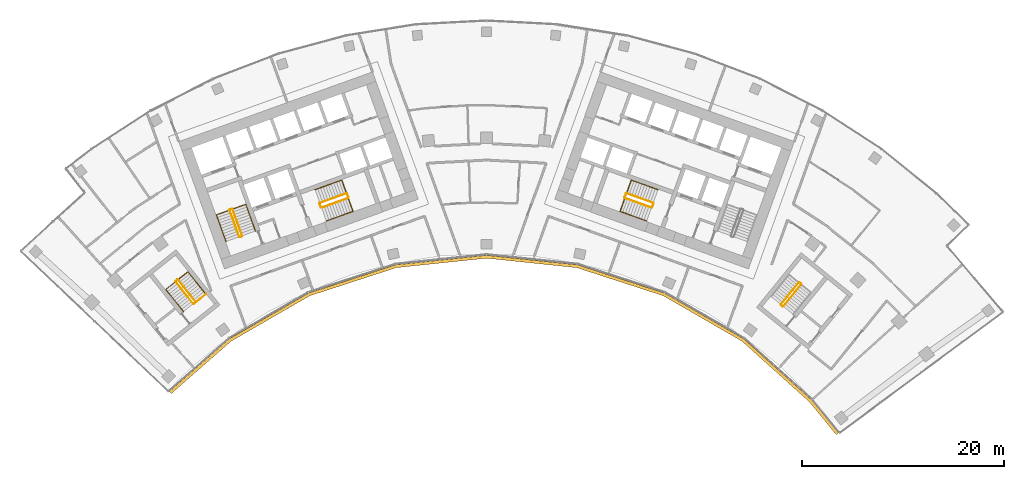
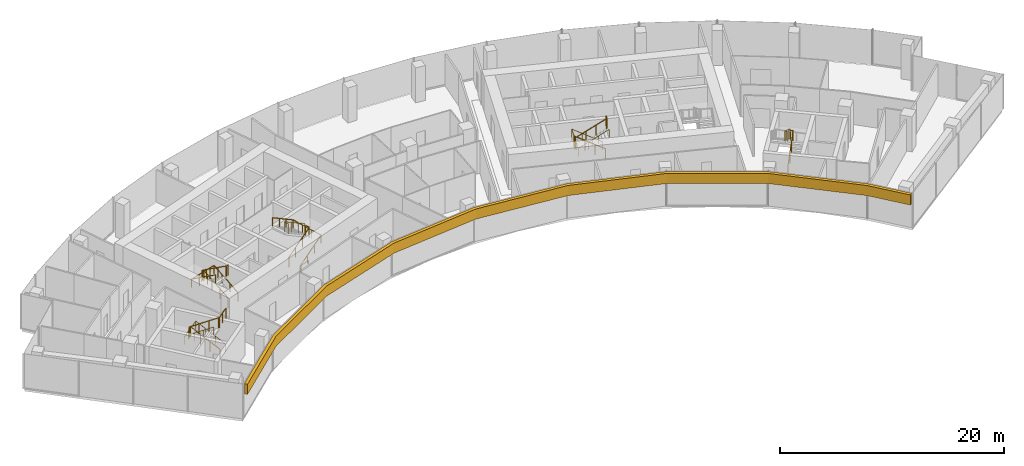
# One storey, part 18 of 19: 14 railings, 1 covering.
"""IFC4 building model written with IfcOpenShell, lengths in metres."""

from ifc_helpers import new_model, si_unit, direction, frame, origin, origin_2d, place, context, subcontext, project, spatial, polyline, circle, outline, extrude, material, layer, layer_set, type_object, element, save


model = new_model("IFC4")

# Units and contexts
model_context = context("Model", 3, precision=1e-05, world=origin(), true_north=direction((0.0, 1.0)))
body_context = subcontext(model_context, "Body", "Model", "MODEL_VIEW")
ifc_project = project(units=[si_unit("LENGTHUNIT", "METRE"), si_unit("AREAUNIT", "SQUARE_METRE"), si_unit("VOLUMEUNIT", "CUBIC_METRE"), si_unit("PLANEANGLEUNIT", "RADIAN"), si_unit("MASSUNIT", "GRAM", prefix="KILO")], contexts=[model_context])

# Site, building, storey
site_placement = place(None, origin())
site = spatial("IfcSite", under=ifc_project, at=site_placement, CompositionType="ELEMENT")
building_placement = place(site_placement, origin())
building = spatial("IfcBuilding", under=site, at=building_placement, Name="Stone Belt Terrace Tower", CompositionType="ELEMENT")
storey_placement = place(building_placement, frame((0.0, 0.0, 208.60009765625)))
storey = spatial("IfcBuildingStorey", under=building, at=storey_placement, Name="L50", CompositionType="ELEMENT", Elevation=208.60009765625)

# Railings
ifc_material_1 = material(Name="Structural steel C345", Category="steel")
railing_type_1 = type_object("IfcRailingType", Name="Stair guard 1100", PredefinedType="GUARDRAIL", material=ifc_material_1)
railing_1_placement = place(storey_placement, frame((-24.2119140625, 45.276123046875, 0.172607421875)))
element("IfcRailing", 1, at=railing_1_placement, inside=storey, type_object=railing_type_1, Name="L50 ST1A stair guard 1", PredefinedType="GUARDRAIL", context=body_context, shape_type="SweptSolid", body=[
    extrude(circle(Radius=0.02392578125, at=origin_2d()), frame((0.0, 0.0, 1.076171875), z_axis=(-0.288228637646, 0.800791768495, 0.525030280985), x_axis=(-0.940908529223, -0.338660803216, 0.0)), (0.0, 0.0, 1.0), 3.289794921875),
    extrude(circle(Radius=0.02392578125, at=origin_2d()), frame((-0.9482421875, 2.634521484375, 2.80322265625), z_axis=(-0.905209821074, 0.424964916, 0.0), x_axis=(-0.424964916, -0.905209821074, 0.0)), (0.0, 0.0, 1.0), 0.070556640625),
    extrude(circle(Radius=0.02392578125, at=origin_2d()), frame((-1.01220703125, 2.66455078125, 2.80322265625), z_axis=(-0.941105063269, -0.338114270461, 0.0), x_axis=(0.338114270461, -0.941105063269, 0.0)), (0.0, 0.0, 1.0), 0.199951171875),
    extrude(circle(Radius=0.02099609375, at=origin_2d()), origin(), (0.0, 0.0, 1.0), 1.052001953125),
    extrude(circle(Radius=0.02099609375, at=origin_2d()), frame((-0.316162109375, 0.878173828125, 0.57568359375)), (0.0, 0.0, 1.0), 1.052001953125),
    extrude(circle(Radius=0.02099609375, at=origin_2d()), frame((-0.632080078125, 1.75634765625, 1.151611328125)), (0.0, 0.0, 1.0), 1.052001953125),
    extrude(circle(Radius=0.02099609375, at=origin_2d()), frame((-0.9482421875, 2.634521484375, 1.727294921875)), (0.0, 0.0, 1.0), 1.052001953125),
    extrude(circle(Radius=0.02099609375, at=origin_2d()), frame((-1.01220703125, 2.66455078125, 1.727294921875)), (0.0, 0.0, 1.0), 1.052001953125),
    extrude(circle(Radius=0.02099609375, at=origin_2d()), frame((-1.200439453125, 2.596923828125, 1.727294921875)), (0.0, 0.0, 1.0), 1.052001953125),
])
railing_2_placement = place(storey_placement, frame((-25.4423828125, 47.80908203125, 2.072509765625)))
element("IfcRailing", 2, at=railing_2_placement, inside=storey, type_object=railing_type_1, Name="L50 ST1A stair guard 2", PredefinedType="GUARDRAIL", context=body_context, shape_type="SweptSolid", body=[
    extrude(circle(Radius=0.02392578125, at=origin_2d()), frame((0.0, 0.0, 1.076171875), z_axis=(0.288228637646, -0.800791768495, 0.525030280985), x_axis=(0.940908529223, 0.338660803216, 0.0)), (0.0, 0.0, 1.0), 3.289794921875),
    extrude(circle(Radius=0.02392578125, at=origin_2d()), frame((0.9482421875, -2.634521484375, 2.80322265625), z_axis=(0.903878284585, -0.427789722475, 0.0), x_axis=(0.427789722475, 0.903878284585, 0.0)), (0.0, 0.0, 1.0), 0.07080078125),
    extrude(circle(Radius=0.02392578125, at=origin_2d()), frame((1.01220703125, -2.664794921875, 2.80322265625), z_axis=(0.940575576748, 0.339584429008, 0.0), x_axis=(-0.339584429008, 0.940575576748, 0.0)), (0.0, 0.0, 1.0), 0.199951171875),
    extrude(circle(Radius=0.02099609375, at=origin_2d()), origin(), (0.0, 0.0, 1.0), 1.052001953125),
    extrude(circle(Radius=0.02099609375, at=origin_2d()), frame((0.316162109375, -0.878173828125, 0.57568359375)), (0.0, 0.0, 1.0), 1.052001953125),
    extrude(circle(Radius=0.02099609375, at=origin_2d()), frame((0.632080078125, -1.75634765625, 1.151611328125)), (0.0, 0.0, 1.0), 1.052001953125),
    extrude(circle(Radius=0.02099609375, at=origin_2d()), frame((0.9482421875, -2.634521484375, 1.727294921875)), (0.0, 0.0, 1.0), 1.052001953125),
    extrude(circle(Radius=0.02099609375, at=origin_2d()), frame((1.01220703125, -2.664794921875, 1.727294921875)), (0.0, 0.0, 1.0), 1.052001953125),
    extrude(circle(Radius=0.02099609375, at=origin_2d()), frame((1.2001953125, -2.596923828125, 1.727294921875)), (0.0, 0.0, 1.0), 1.052001953125),
])
railing_3_placement = place(storey_placement, frame((-16.33837890625, 48.056640625, 0.172607421875)))
element("IfcRailing", 3, at=railing_3_placement, inside=storey, type_object=railing_type_1, Name="L50 ST2A stair guard 1", PredefinedType="GUARDRAIL", context=body_context, shape_type="SweptSolid", body=[
    extrude(circle(Radius=0.02392578125, at=origin_2d()), frame((0.0, 0.0, 1.076171875), z_axis=(0.800808895155, 0.288160591223, 0.52504150989), x_axis=(-0.338583606334, 0.940936311087, 0.0)), (0.0, 0.0, 1.0), 3.289794921875),
    extrude(circle(Radius=0.02392578125, at=origin_2d()), frame((2.634521484375, 0.947998046875, 2.80322265625), z_axis=(0.427789722475, 0.903878284585, 0.0), x_axis=(-0.903878284585, 0.427789722475, 0.0)), (0.0, 0.0, 1.0), 0.07080078125),
    extrude(circle(Radius=0.02392578125, at=origin_2d()), frame((2.664794921875, 1.011962890625, 2.80322265625), z_axis=(-0.338654645739, 0.940910745459, 0.0), x_axis=(-0.940910745459, -0.338654645739, 0.0)), (0.0, 0.0, 1.0), 0.400146484375),
    extrude(circle(Radius=0.02099609375, at=origin_2d()), origin(), (0.0, 0.0, 1.0), 1.052001953125),
    extrude(circle(Radius=0.02099609375, at=origin_2d()), frame((0.878173828125, 0.31591796875, 0.57568359375)), (0.0, 0.0, 1.0), 1.052001953125),
    extrude(circle(Radius=0.02099609375, at=origin_2d()), frame((1.75634765625, 0.632080078125, 1.151611328125)), (0.0, 0.0, 1.0), 1.052001953125),
    extrude(circle(Radius=0.02099609375, at=origin_2d()), frame((2.634521484375, 0.947998046875, 1.727294921875)), (0.0, 0.0, 1.0), 1.052001953125),
    extrude(circle(Radius=0.02099609375, at=origin_2d()), frame((2.664794921875, 1.011962890625, 1.727294921875)), (0.0, 0.0, 1.0), 1.052001953125),
    extrude(circle(Radius=0.02099609375, at=origin_2d()), frame((2.529296875, 1.388427734375, 1.727294921875)), (0.0, 0.0, 1.0), 1.052001953125),
])
railing_4_placement = place(storey_placement, frame((-13.873046875, 49.47509765625, 2.072509765625)))
element("IfcRailing", 4, at=railing_4_placement, inside=storey, type_object=railing_type_1, Name="L50 ST2A stair guard 2", PredefinedType="GUARDRAIL", context=body_context, shape_type="SweptSolid", body=[
    extrude(circle(Radius=0.02392578125, at=origin_2d()), frame((0.0, 0.0, 1.076171875), z_axis=(-0.800808895155, -0.288160591223, 0.52504150989), x_axis=(0.338583606334, -0.940936311087, 0.0)), (0.0, 0.0, 1.0), 3.289794921875),
    extrude(circle(Radius=0.02392578125, at=origin_2d()), frame((-2.634521484375, -0.947998046875, 2.80322265625), z_axis=(-0.427789722475, -0.903878284585, 0.0), x_axis=(0.903878284585, -0.427789722475, 0.0)), (0.0, 0.0, 1.0), 0.07080078125),
    extrude(circle(Radius=0.02392578125, at=origin_2d()), frame((-2.664794921875, -1.011962890625, 2.80322265625), z_axis=(0.338654645739, -0.940910745459, 0.0), x_axis=(0.940910745459, 0.338654645739, 0.0)), (0.0, 0.0, 1.0), 0.400146484375),
    extrude(circle(Radius=0.02099609375, at=origin_2d()), origin(), (0.0, 0.0, 1.0), 1.052001953125),
    extrude(circle(Radius=0.02099609375, at=origin_2d()), frame((-0.878173828125, -0.31591796875, 0.57568359375)), (0.0, 0.0, 1.0), 1.052001953125),
    extrude(circle(Radius=0.02099609375, at=origin_2d()), frame((-1.75634765625, -0.632080078125, 1.151611328125)), (0.0, 0.0, 1.0), 1.052001953125),
    extrude(circle(Radius=0.02099609375, at=origin_2d()), frame((-2.634521484375, -0.947998046875, 1.727294921875)), (0.0, 0.0, 1.0), 1.052001953125),
    extrude(circle(Radius=0.02099609375, at=origin_2d()), frame((-2.664794921875, -1.011962890625, 1.727294921875)), (0.0, 0.0, 1.0), 1.052001953125),
    extrude(circle(Radius=0.02099609375, at=origin_2d()), frame((-2.529296875, -1.388427734375, 1.727294921875)), (0.0, 0.0, 1.0), 1.052001953125),
])
railing_5_placement = place(storey_placement, frame((16.507568359375, 48.527099609375, 0.172607421875)))
element("IfcRailing", 5, at=railing_5_placement, inside=storey, type_object=railing_type_1, Name="L50 ST2B stair guard 1", PredefinedType="GUARDRAIL", context=body_context, shape_type="SweptSolid", body=[
    extrude(circle(Radius=0.02392578125, at=origin_2d()), frame((0.0, 0.0, 1.076171875), z_axis=(-0.800808895155, 0.288160591223, 0.52504150989), x_axis=(-0.338583606334, -0.940936311087, 0.0)), (0.0, 0.0, 1.0), 3.289794921875),
    extrude(circle(Radius=0.02392578125, at=origin_2d()), frame((-2.634521484375, 0.947998046875, 2.80322265625), z_axis=(-0.905209821074, -0.424964916, 0.0), x_axis=(0.424964916, -0.905209821074, 0.0)), (0.0, 0.0, 1.0), 0.070556640625),
    extrude(circle(Radius=0.02392578125, at=origin_2d()), frame((-2.698486328125, 0.91796875, 2.80322265625), z_axis=(-0.338654645739, -0.940910745459, 0.0), x_axis=(0.940910745459, -0.338654645739, 0.0)), (0.0, 0.0, 1.0), 0.400146484375),
    extrude(circle(Radius=0.02099609375, at=origin_2d()), origin(), (0.0, 0.0, 1.0), 1.052001953125),
    extrude(circle(Radius=0.02099609375, at=origin_2d()), frame((-0.878173828125, 0.31591796875, 0.57568359375)), (0.0, 0.0, 1.0), 1.052001953125),
    extrude(circle(Radius=0.02099609375, at=origin_2d()), frame((-1.75634765625, 0.632080078125, 1.151611328125)), (0.0, 0.0, 1.0), 1.052001953125),
    extrude(circle(Radius=0.02099609375, at=origin_2d()), frame((-2.634521484375, 0.947998046875, 1.727294921875)), (0.0, 0.0, 1.0), 1.052001953125),
    extrude(circle(Radius=0.02099609375, at=origin_2d()), frame((-2.698486328125, 0.91796875, 1.727294921875)), (0.0, 0.0, 1.0), 1.052001953125),
    extrude(circle(Radius=0.02099609375, at=origin_2d()), frame((-2.833984375, 0.54150390625, 1.727294921875)), (0.0, 0.0, 1.0), 1.052001953125),
])
railing_6_placement = place(storey_placement, frame((13.703857421875, 49.004638671875, 2.072509765625)))
element("IfcRailing", 6, at=railing_6_placement, inside=storey, type_object=railing_type_1, Name="L50 ST2B stair guard 2", PredefinedType="GUARDRAIL", context=body_context, shape_type="SweptSolid", body=[
    extrude(circle(Radius=0.02392578125, at=origin_2d()), frame((0.0, 0.0, 1.076171875), z_axis=(0.800808895155, -0.288160591223, 0.52504150989), x_axis=(0.338583606334, 0.940936311087, 0.0)), (0.0, 0.0, 1.0), 3.289794921875),
    extrude(circle(Radius=0.02392578125, at=origin_2d()), frame((2.634521484375, -0.947998046875, 2.80322265625), z_axis=(0.905209821074, 0.424964916, 0.0), x_axis=(-0.424964916, 0.905209821074, 0.0)), (0.0, 0.0, 1.0), 0.070556640625),
    extrude(circle(Radius=0.02392578125, at=origin_2d()), frame((2.698486328125, -0.91796875, 2.80322265625), z_axis=(0.338654645739, 0.940910745459, 0.0), x_axis=(-0.940910745459, 0.338654645739, 0.0)), (0.0, 0.0, 1.0), 0.400146484375),
    extrude(circle(Radius=0.02099609375, at=origin_2d()), origin(), (0.0, 0.0, 1.0), 1.052001953125),
    extrude(circle(Radius=0.02099609375, at=origin_2d()), frame((0.878173828125, -0.31591796875, 0.57568359375)), (0.0, 0.0, 1.0), 1.052001953125),
    extrude(circle(Radius=0.02099609375, at=origin_2d()), frame((1.75634765625, -0.632080078125, 1.151611328125)), (0.0, 0.0, 1.0), 1.052001953125),
    extrude(circle(Radius=0.02099609375, at=origin_2d()), frame((2.634521484375, -0.947998046875, 1.727294921875)), (0.0, 0.0, 1.0), 1.052001953125),
    extrude(circle(Radius=0.02099609375, at=origin_2d()), frame((2.698486328125, -0.91796875, 1.727294921875)), (0.0, 0.0, 1.0), 1.052001953125),
    extrude(circle(Radius=0.02099609375, at=origin_2d()), frame((2.833984375, -0.54150390625, 1.727294921875)), (0.0, 0.0, 1.0), 1.052001953125),
])
railing_7_placement = place(storey_placement, frame((-28.814208984375, 38.734619140625, 0.172607421875)))
element("IfcRailing", 7, at=railing_7_placement, inside=storey, type_object=railing_type_1, Name="L50 ST3A stair guard 1", PredefinedType="GUARDRAIL", context=body_context, shape_type="SweptSolid", body=[
    extrude(circle(Radius=0.02392578125, at=origin_2d()), frame((0.0, 0.0, 1.076171875), z_axis=(-0.530306321799, 0.665665785969, 0.525037395288), x_axis=(-0.782143211408, -0.623098705543, 0.0)), (0.0, 0.0, 1.0), 3.289794921875),
    extrude(circle(Radius=0.02392578125, at=origin_2d()), frame((-1.74462890625, 2.18994140625, 2.80322265625), z_axis=(-0.993883734674, 0.110431526075, 0.0), x_axis=(-0.110431526075, -0.993883734674, 0.0)), (0.0, 0.0, 1.0), 0.07080078125),
    extrude(circle(Radius=0.02392578125, at=origin_2d()), frame((-1.81494140625, 2.19775390625, 2.80322265625), z_axis=(-0.782533463299, -0.622608527742, 0.0), x_axis=(0.622608527742, -0.782533463299, 0.0)), (0.0, 0.0, 1.0), 0.199951171875),
    extrude(circle(Radius=0.02099609375, at=origin_2d()), origin(), (0.0, 0.0, 1.0), 1.052001953125),
    extrude(circle(Radius=0.02099609375, at=origin_2d()), frame((-0.58154296875, 0.72998046875, 0.57568359375)), (0.0, 0.0, 1.0), 1.052001953125),
    extrude(circle(Radius=0.02099609375, at=origin_2d()), frame((-1.1630859375, 1.4599609375, 1.151611328125)), (0.0, 0.0, 1.0), 1.052001953125),
    extrude(circle(Radius=0.02099609375, at=origin_2d()), frame((-1.74462890625, 2.18994140625, 1.727294921875)), (0.0, 0.0, 1.0), 1.052001953125),
    extrude(circle(Radius=0.02099609375, at=origin_2d()), frame((-1.81494140625, 2.19775390625, 1.727294921875)), (0.0, 0.0, 1.0), 1.052001953125),
    extrude(circle(Radius=0.02099609375, at=origin_2d()), frame((-1.971435546875, 2.0732421875, 1.727294921875)), (0.0, 0.0, 1.0), 1.052001953125),
])
railing_8_placement = place(storey_placement, frame((-30.793701171875, 40.737548828125, 2.072509765625)))
element("IfcRailing", 8, at=railing_8_placement, inside=storey, type_object=railing_type_1, Name="L50 ST3A stair guard 2", PredefinedType="GUARDRAIL", context=body_context, shape_type="SweptSolid", body=[
    extrude(circle(Radius=0.02392578125, at=origin_2d()), frame((0.0, 0.0, 1.076171875), z_axis=(0.530359659125, -0.665639588968, 0.525016732659), x_axis=(0.782100716982, 0.62315204284, 0.0)), (0.0, 0.0, 1.0), 3.2900390625),
    extrude(circle(Radius=0.02392578125, at=origin_2d()), frame((1.744873046875, -2.18994140625, 2.80322265625), z_axis=(0.993499272973, -0.113838458361, 0.0), x_axis=(0.113838458361, 0.993499272973, 0.0)), (0.0, 0.0, 1.0), 0.07080078125),
    extrude(circle(Radius=0.02392578125, at=origin_2d()), frame((1.815185546875, -2.197998046875, 2.80322265625), z_axis=(0.782096737192, 0.623157037731, 0.0), x_axis=(-0.623157037731, 0.782096737192, 0.0)), (0.0, 0.0, 1.0), 1.5498046875),
    extrude(circle(Radius=0.02099609375, at=origin_2d()), origin(), (0.0, 0.0, 1.0), 1.052001953125),
    extrude(circle(Radius=0.02099609375, at=origin_2d()), frame((0.58154296875, -0.72998046875, 0.57568359375)), (0.0, 0.0, 1.0), 1.052001953125),
    extrude(circle(Radius=0.02099609375, at=origin_2d()), frame((1.163330078125, -1.4599609375, 1.151611328125)), (0.0, 0.0, 1.0), 1.052001953125),
    extrude(circle(Radius=0.02099609375, at=origin_2d()), frame((1.744873046875, -2.18994140625, 1.727294921875)), (0.0, 0.0, 1.0), 1.052001953125),
    extrude(circle(Radius=0.02099609375, at=origin_2d()), frame((1.815185546875, -2.197998046875, 1.727294921875)), (0.0, 0.0, 1.0), 1.052001953125),
    extrude(circle(Radius=0.02099609375, at=origin_2d()), frame((2.42138671875, -1.715087890625, 1.727294921875)), (0.0, 0.0, 1.0), 1.052001953125),
    extrude(circle(Radius=0.02099609375, at=origin_2d()), frame((3.02734375, -1.232177734375, 1.727294921875)), (0.0, 0.0, 1.0), 1.052001953125),
])
railing_9_placement = place(storey_placement, frame((29.39794921875, 38.281982421875, 0.172607421875)))
element("IfcRailing", 9, at=railing_9_placement, inside=storey, type_object=railing_type_1, Name="L50 ST3B stair guard 1", PredefinedType="GUARDRAIL", context=body_context, shape_type="SweptSolid", body=[
    extrude(circle(Radius=0.02392578125, at=origin_2d()), frame((0.0, 0.0, 1.076171875), z_axis=(0.536393061503, 0.660769759217, 0.525038864158), x_axis=(-0.776391310223, 0.630251166924, 0.0)), (0.0, 0.0, 1.0), 3.289794921875),
    extrude(circle(Radius=0.02392578125, at=origin_2d()), frame((1.7646484375, 2.173828125, 2.80322265625), z_axis=(-0.103251414163, 0.994655289773, 0.0), x_axis=(-0.994655289773, -0.103251414163, 0.0)), (0.0, 0.0, 1.0), 0.071044921875),
    extrude(circle(Radius=0.02392578125, at=origin_2d()), frame((1.75732421875, 2.244384765625, 2.80322265625), z_axis=(-0.776561986372, 0.630040856868, 0.0), x_axis=(-0.630040856868, -0.776561986372, 0.0)), (0.0, 0.0, 1.0), 0.199951171875),
    extrude(circle(Radius=0.02099609375, at=origin_2d()), origin(), (0.0, 0.0, 1.0), 1.052001953125),
    extrude(circle(Radius=0.02099609375, at=origin_2d()), frame((0.588134765625, 0.724609375, 0.57568359375)), (0.0, 0.0, 1.0), 1.052001953125),
    extrude(circle(Radius=0.02099609375, at=origin_2d()), frame((1.176513671875, 1.44921875, 1.151611328125)), (0.0, 0.0, 1.0), 1.052001953125),
    extrude(circle(Radius=0.02099609375, at=origin_2d()), frame((1.7646484375, 2.173828125, 1.727294921875)), (0.0, 0.0, 1.0), 1.052001953125),
    extrude(circle(Radius=0.02099609375, at=origin_2d()), frame((1.75732421875, 2.244384765625, 1.727294921875)), (0.0, 0.0, 1.0), 1.052001953125),
    extrude(circle(Radius=0.02099609375, at=origin_2d()), frame((1.60205078125, 2.370361328125, 1.727294921875)), (0.0, 0.0, 1.0), 1.052001953125),
])
railing_10_placement = place(storey_placement, frame((30.9296875, 40.64501953125, 2.072509765625)))
element("IfcRailing", 10, at=railing_10_placement, inside=storey, type_object=railing_type_1, Name="L50 ST3B stair guard 2", PredefinedType="GUARDRAIL", context=body_context, shape_type="SweptSolid", body=[
    extrude(circle(Radius=0.02392578125, at=origin_2d()), frame((0.0, 0.0, 1.076171875), z_axis=(-0.536366759382, -0.660811565066, 0.525013118792), x_axis=(0.776425942316, -0.630208502084, 0.0)), (0.0, 0.0, 1.0), 3.2900390625),
    extrude(circle(Radius=0.02392578125, at=origin_2d()), frame((-1.7646484375, -2.174072265625, 2.80322265625), z_axis=(0.103606084259, -0.994618408891, 0.0), x_axis=(0.994618408891, 0.103606084259, 0.0)), (0.0, 0.0, 1.0), 0.07080078125),
    extrude(circle(Radius=0.02392578125, at=origin_2d()), frame((-1.75732421875, -2.244384765625, 2.80322265625), z_axis=(0.776561986372, -0.630040856868, 0.0), x_axis=(0.630040856868, 0.776561986372, 0.0)), (0.0, 0.0, 1.0), 0.199951171875),
    extrude(circle(Radius=0.02099609375, at=origin_2d()), origin(), (0.0, 0.0, 1.0), 1.052001953125),
    extrude(circle(Radius=0.02099609375, at=origin_2d()), frame((-0.588134765625, -0.724609375, 0.57568359375)), (0.0, 0.0, 1.0), 1.052001953125),
    extrude(circle(Radius=0.02099609375, at=origin_2d()), frame((-1.176513671875, -1.449462890625, 1.151611328125)), (0.0, 0.0, 1.0), 1.052001953125),
    extrude(circle(Radius=0.02099609375, at=origin_2d()), frame((-1.7646484375, -2.174072265625, 1.727294921875)), (0.0, 0.0, 1.0), 1.052001953125),
    extrude(circle(Radius=0.02099609375, at=origin_2d()), frame((-1.75732421875, -2.244384765625, 1.727294921875)), (0.0, 0.0, 1.0), 1.052001953125),
    extrude(circle(Radius=0.02099609375, at=origin_2d()), frame((-1.60205078125, -2.370361328125, 1.727294921875)), (0.0, 0.0, 1.0), 1.052001953125),
])
railing_type_2 = type_object("IfcRailingType", Name="Stair handrail 900", PredefinedType="HANDRAIL", material=ifc_material_1)
railing_11_placement = place(storey_placement, frame((-22.894775390625, 45.750244140625, 0.172607421875)))
element("IfcRailing", 11, at=railing_11_placement, inside=storey, type_object=railing_type_2, Name="L50 ST1A stair handrail 1", PredefinedType="HANDRAIL", context=body_context, shape_type="SweptSolid", body=[
    extrude(circle(Radius=0.02392578125, at=origin_2d()), frame((0.0, 0.0, 0.8759765625), z_axis=(-0.288160591223, 0.800808895155, 0.52504150989), x_axis=(-0.940936311087, -0.338583606334, 0.0)), (0.0, 0.0, 1.0), 3.289794921875),
    extrude(circle(Radius=0.02392578125, at=origin_2d()), frame((-0.947998046875, 2.634521484375, 2.60302734375), z_axis=(-0.939464517435, -0.338106580597, 0.055591012205), x_axis=(0.338630230244, -0.940919532779, 0.0)), (0.0, 0.0, 1.0), 3.10498046875),
    extrude(circle(Radius=0.02392578125, at=origin_2d()), frame((-3.864990234375, 1.584716796875, 2.77587890625), z_axis=(0.288228637646, -0.800791768495, 0.525030280985), x_axis=(0.940908529223, 0.338660803216, 0.0)), (0.0, 0.0, 1.0), 3.289794921875),
    extrude(circle(Radius=0.02099609375, at=origin_2d()), origin(), (0.0, 0.0, 1.0), 0.851806640625),
    extrude(circle(Radius=0.02099609375, at=origin_2d()), frame((-0.31591796875, 0.878173828125, 0.57568359375)), (0.0, 0.0, 1.0), 0.851806640625),
    extrude(circle(Radius=0.02099609375, at=origin_2d()), frame((-0.632080078125, 1.75634765625, 1.151611328125)), (0.0, 0.0, 1.0), 0.851806640625),
    extrude(circle(Radius=0.02099609375, at=origin_2d()), frame((-0.947998046875, 2.634521484375, 1.727294921875)), (0.0, 0.0, 1.0), 0.851806640625),
    extrude(circle(Radius=0.02099609375, at=origin_2d()), frame((-1.92041015625, 2.28466796875, 1.784912109375)), (0.0, 0.0, 1.0), 0.851806640625),
    extrude(circle(Radius=0.02099609375, at=origin_2d()), frame((-2.892578125, 1.9345703125, 1.84228515625)), (0.0, 0.0, 1.0), 0.851806640625),
    extrude(circle(Radius=0.02099609375, at=origin_2d()), frame((-3.864990234375, 1.584716796875, 1.89990234375)), (0.0, 0.0, 1.0), 0.851806640625),
    extrude(circle(Radius=0.02099609375, at=origin_2d()), frame((-3.548828125, 0.70654296875, 2.4755859375)), (0.0, 0.0, 1.0), 0.851806640625),
    extrude(circle(Radius=0.02099609375, at=origin_2d()), frame((-3.23291015625, -0.171630859375, 3.051513671875)), (0.0, 0.0, 1.0), 0.851806640625),
    extrude(circle(Radius=0.02099609375, at=origin_2d()), frame((-2.916748046875, -1.0498046875, 3.627197265625)), (0.0, 0.0, 1.0), 0.851806640625),
])
railing_12_placement = place(storey_placement, frame((-15.8642578125, 46.7392578125, 0.172607421875)))
element("IfcRailing", 12, at=railing_12_placement, inside=storey, type_object=railing_type_2, Name="L50 ST2A stair handrail 1", PredefinedType="HANDRAIL", context=body_context, shape_type="SweptSolid", body=[
    extrude(circle(Radius=0.02392578125, at=origin_2d()), frame((0.0, 0.0, 0.8759765625), z_axis=(0.800791768495, 0.288228637646, 0.525030280985), x_axis=(-0.338660803216, 0.940908529223, 0.0)), (0.0, 0.0, 1.0), 3.289794921875),
    extrude(circle(Radius=0.02392578125, at=origin_2d()), frame((2.634521484375, 0.9482421875, 2.60302734375), z_axis=(-0.338160254016, 0.939637778147, 0.052234935458), x_axis=(-0.940922302781, -0.338622533404, 0.0)), (0.0, 0.0, 1.0), 3.304443359375),
    extrude(circle(Radius=0.02392578125, at=origin_2d()), frame((1.51708984375, 4.05322265625, 2.77587890625), z_axis=(-0.800791768495, -0.288228637646, 0.525030280985), x_axis=(0.338660803216, -0.940908529223, 0.0)), (0.0, 0.0, 1.0), 3.289794921875),
    extrude(circle(Radius=0.02099609375, at=origin_2d()), origin(), (0.0, 0.0, 1.0), 0.851806640625),
    extrude(circle(Radius=0.02099609375, at=origin_2d()), frame((0.878173828125, 0.316162109375, 0.57568359375)), (0.0, 0.0, 1.0), 0.851806640625),
    extrude(circle(Radius=0.02099609375, at=origin_2d()), frame((1.75634765625, 0.632080078125, 1.151611328125)), (0.0, 0.0, 1.0), 0.851806640625),
    extrude(circle(Radius=0.02099609375, at=origin_2d()), frame((2.634521484375, 0.9482421875, 1.727294921875)), (0.0, 0.0, 1.0), 0.851806640625),
    extrude(circle(Radius=0.02099609375, at=origin_2d()), frame((2.261962890625, 1.983154296875, 1.784912109375)), (0.0, 0.0, 1.0), 0.851806640625),
    extrude(circle(Radius=0.02099609375, at=origin_2d()), frame((1.8896484375, 3.018310546875, 1.84228515625)), (0.0, 0.0, 1.0), 0.851806640625),
    extrude(circle(Radius=0.02099609375, at=origin_2d()), frame((1.51708984375, 4.05322265625, 1.89990234375)), (0.0, 0.0, 1.0), 0.851806640625),
    extrude(circle(Radius=0.02099609375, at=origin_2d()), frame((0.638916015625, 3.737060546875, 2.4755859375)), (0.0, 0.0, 1.0), 0.851806640625),
    extrude(circle(Radius=0.02099609375, at=origin_2d()), frame((-0.2392578125, 3.421142578125, 3.051513671875)), (0.0, 0.0, 1.0), 0.851806640625),
    extrude(circle(Radius=0.02099609375, at=origin_2d()), frame((-1.117431640625, 3.10498046875, 3.627197265625)), (0.0, 0.0, 1.0), 0.851806640625),
])
railing_13_placement = place(storey_placement, frame((16.981689453125, 49.84423828125, 0.172607421875)))
element("IfcRailing", 13, at=railing_13_placement, inside=storey, type_object=railing_type_2, Name="L50 ST2B stair handrail 1", PredefinedType="HANDRAIL", context=body_context, shape_type="SweptSolid", body=[
    extrude(circle(Radius=0.02392578125, at=origin_2d()), frame((0.0, 0.0, 0.8759765625), z_axis=(-0.800791768495, 0.288228637646, 0.525030280985), x_axis=(-0.338660803216, -0.940908529223, 0.0)), (0.0, 0.0, 1.0), 3.289794921875),
    extrude(circle(Radius=0.02392578125, at=origin_2d()), frame((-2.634521484375, 0.9482421875, 2.60302734375), z_axis=(-0.338160254016, -0.939637778147, 0.052234935458), x_axis=(0.940922302781, -0.338622533404, 0.0)), (0.0, 0.0, 1.0), 3.304443359375),
    extrude(circle(Radius=0.02392578125, at=origin_2d()), frame((-3.751953125, -2.15673828125, 2.77587890625), z_axis=(0.800791768495, -0.288228637646, 0.525030280985), x_axis=(0.338660803216, 0.940908529223, 0.0)), (0.0, 0.0, 1.0), 3.289794921875),
    extrude(circle(Radius=0.02099609375, at=origin_2d()), origin(), (0.0, 0.0, 1.0), 0.851806640625),
    extrude(circle(Radius=0.02099609375, at=origin_2d()), frame((-0.878173828125, 0.316162109375, 0.57568359375)), (0.0, 0.0, 1.0), 0.851806640625),
    extrude(circle(Radius=0.02099609375, at=origin_2d()), frame((-1.75634765625, 0.632080078125, 1.151611328125)), (0.0, 0.0, 1.0), 0.851806640625),
    extrude(circle(Radius=0.02099609375, at=origin_2d()), frame((-2.634521484375, 0.9482421875, 1.727294921875)), (0.0, 0.0, 1.0), 0.851806640625),
    extrude(circle(Radius=0.02099609375, at=origin_2d()), frame((-3.007080078125, -0.086669921875, 1.784912109375)), (0.0, 0.0, 1.0), 0.851806640625),
    extrude(circle(Radius=0.02099609375, at=origin_2d()), frame((-3.37939453125, -1.121826171875, 1.84228515625)), (0.0, 0.0, 1.0), 0.851806640625),
    extrude(circle(Radius=0.02099609375, at=origin_2d()), frame((-3.751953125, -2.15673828125, 1.89990234375)), (0.0, 0.0, 1.0), 0.851806640625),
    extrude(circle(Radius=0.02099609375, at=origin_2d()), frame((-2.873779296875, -2.472900390625, 2.4755859375)), (0.0, 0.0, 1.0), 0.851806640625),
    extrude(circle(Radius=0.02099609375, at=origin_2d()), frame((-1.99560546875, -2.788818359375, 3.051513671875)), (0.0, 0.0, 1.0), 0.851806640625),
    extrude(circle(Radius=0.02099609375, at=origin_2d()), frame((-1.117431640625, -3.10498046875, 3.627197265625)), (0.0, 0.0, 1.0), 0.851806640625),
])
railing_14_placement = place(storey_placement, frame((-27.836669921875, 39.513427734375, 0.172607421875)))
element("IfcRailing", 14, at=railing_14_placement, inside=storey, type_object=railing_type_2, Name="L50 ST3A stair handrail 1", PredefinedType="HANDRAIL", context=body_context, shape_type="SweptSolid", body=[
    extrude(circle(Radius=0.02392578125, at=origin_2d()), frame((0.0, 0.0, 0.8759765625), z_axis=(-0.530306321799, 0.665665785969, 0.525037395288), x_axis=(-0.782143211408, -0.623098705543, 0.0)), (0.0, 0.0, 1.0), 3.289794921875),
    extrude(circle(Radius=0.02392578125, at=origin_2d()), frame((-1.74462890625, 2.18994140625, 2.60302734375), z_axis=(-0.780661215256, -0.62191806513, 0.061530376721), x_axis=(0.623098705543, -0.782143211408, 0.0)), (0.0, 0.0, 1.0), 2.80517578125),
    extrude(circle(Radius=0.02392578125, at=origin_2d()), frame((-3.9345703125, 0.4453125, 2.77587890625), z_axis=(0.530306321799, -0.665665785969, 0.525037395288), x_axis=(0.782143211408, 0.623098705543, 0.0)), (0.0, 0.0, 1.0), 3.289794921875),
    extrude(circle(Radius=0.02099609375, at=origin_2d()), origin(), (0.0, 0.0, 1.0), 0.851806640625),
    extrude(circle(Radius=0.02099609375, at=origin_2d()), frame((-0.58154296875, 0.72998046875, 0.57568359375)), (0.0, 0.0, 1.0), 0.851806640625),
    extrude(circle(Radius=0.02099609375, at=origin_2d()), frame((-1.1630859375, 1.4599609375, 1.151611328125)), (0.0, 0.0, 1.0), 0.851806640625),
    extrude(circle(Radius=0.02099609375, at=origin_2d()), frame((-1.74462890625, 2.18994140625, 1.727294921875)), (0.0, 0.0, 1.0), 0.851806640625),
    extrude(circle(Radius=0.02099609375, at=origin_2d()), frame((-2.474609375, 1.6083984375, 1.784912109375)), (0.0, 0.0, 1.0), 0.851806640625),
    extrude(circle(Radius=0.02099609375, at=origin_2d()), frame((-3.20458984375, 1.02685546875, 1.84228515625)), (0.0, 0.0, 1.0), 0.851806640625),
    extrude(circle(Radius=0.02099609375, at=origin_2d()), frame((-3.9345703125, 0.4453125, 1.89990234375)), (0.0, 0.0, 1.0), 0.851806640625),
    extrude(circle(Radius=0.02099609375, at=origin_2d()), frame((-3.35302734375, -0.28466796875, 2.4755859375)), (0.0, 0.0, 1.0), 0.851806640625),
    extrude(circle(Radius=0.02099609375, at=origin_2d()), frame((-2.771484375, -1.0146484375, 3.051513671875)), (0.0, 0.0, 1.0), 0.851806640625),
    extrude(circle(Radius=0.02099609375, at=origin_2d()), frame((-2.18994140625, -1.74462890625, 3.627197265625)), (0.0, 0.0, 1.0), 0.851806640625),
])

# Covering
ifc_material_2 = material(Name="Terracotta coloured glazed ceramic", Category="masonry")
ifc_layer = layer(ifc_material_2, 0.300048828125)
ifc_layer_set = layer_set([ifc_layer], Name="Terracotta spandrel band 300 x 1100")
covering_type = type_object("IfcCoveringType", Name="Terracotta spandrel band 300 x 1100", PredefinedType="CLADDING", material=ifc_layer_set)
covering_placement = place(storey_placement, frame((0.0, 0.0, 2.699951171875)))
element("IfcCovering", 15, at=covering_placement, inside=storey, type_object=covering_type, Name="BAND L50", PredefinedType="CLADDING", context=body_context, shape_type="SweptSolid", body=[
    extrude(outline(polyline([(-31.434814453125, 29.851806640625), (-25.48095703125, 35.06982421875), (-17.631591796875, 39.6015625), (-9.0126953125, 42.40185546875), (0.0, 43.34912109375), (9.0126953125, 42.40185546875), (17.631591796875, 39.6015625), (25.47998046875, 35.0703125), (32.2177734375, 29.00341796875), (34.8720703125, 25.752197265625), (34.6396484375, 25.5625), (32.0, 28.7958984375), (25.302734375, 34.826171875), (17.509033203125, 39.325927734375), (8.9501953125, 42.10693359375), (0.0, 43.047607421875), (-8.9501953125, 42.10693359375), (-17.509033203125, 39.325927734375), (-25.305419921875, 34.82470703125), (-31.237060546875, 29.626220703125), (-31.434814453125, 29.851806640625)])), origin(), (0.0, 0.0, 1.0), 1.099853515625),
])

save(model, "model.ifc")
